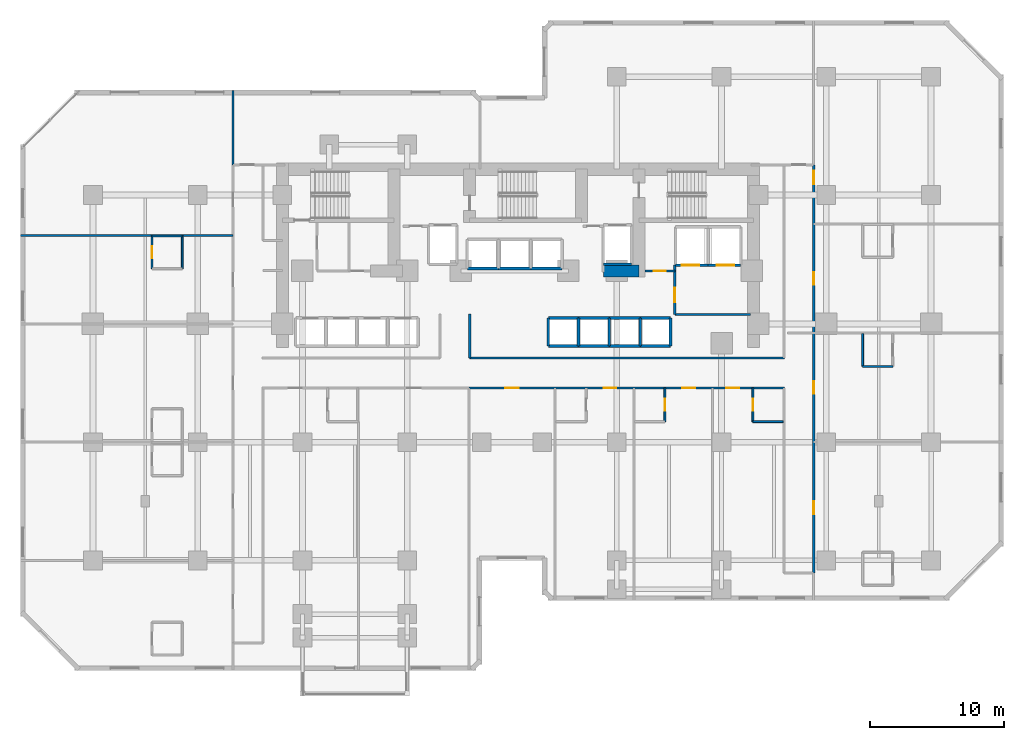
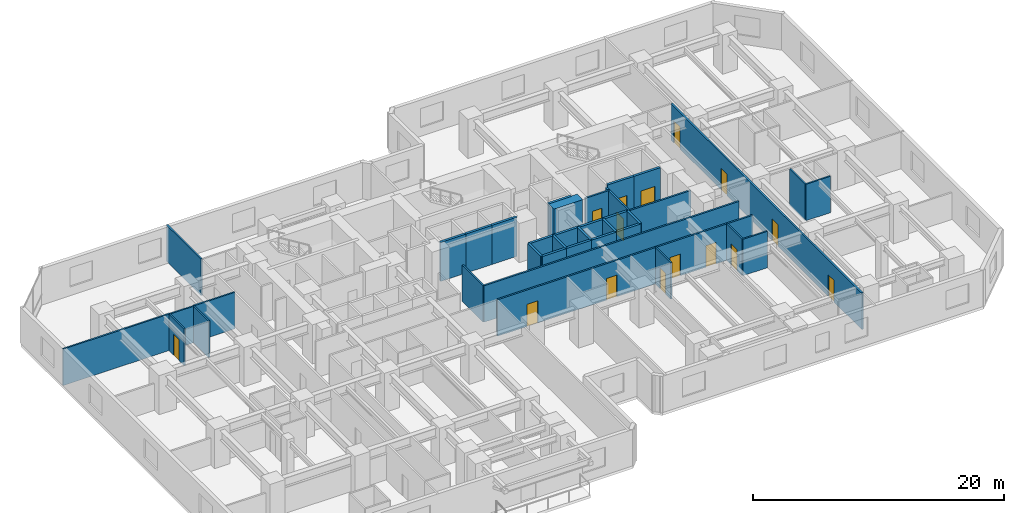
# One storey, part 7 of 12: 38 walls, 15 doors, 15 openings.
"""IFC4 building model written with IfcOpenShell, lengths in metres."""

from ifc_helpers import new_model, si_unit, direction, frame, frame_2d, origin, place, context, subcontext, project, spatial, rectangle, extrude, material, layer, layer_set, type_object, element, fill, save


model = new_model("IFC4")

# Units and contexts
model_context = context("Model", 3, precision=1e-05, world=origin(), true_north=direction((0.0, 1.0)))
body_context = subcontext(model_context, "Body", "Model", "MODEL_VIEW")
ifc_project = project(units=[si_unit("LENGTHUNIT", "METRE"), si_unit("AREAUNIT", "SQUARE_METRE"), si_unit("VOLUMEUNIT", "CUBIC_METRE"), si_unit("PLANEANGLEUNIT", "RADIAN"), si_unit("MASSUNIT", "GRAM", prefix="KILO")], contexts=[model_context])

# Site, building, storey
site_placement = place(None, origin())
site = spatial("IfcSite", under=ifc_project, at=site_placement, CompositionType="ELEMENT")
building_placement = place(site_placement, origin())
building = spatial("IfcBuilding", under=site, at=building_placement, Name="Kestravale Grand Hotel", CompositionType="ELEMENT")
storey_placement = place(building_placement, frame((0.0, 0.0, 52.60009765625)))
storey = spatial("IfcBuildingStorey", under=building, at=storey_placement, Name="L12", CompositionType="ELEMENT", Elevation=52.60009765625)

# Wall
ifc_material_1 = material(Name="Concrete f'c 70 MPa", Category="concrete")
ifc_layer_1 = layer(ifc_material_1, 0.89990234375)
ifc_layer_set_1 = layer_set([ifc_layer_1], Name="EW-CORE-900")
wall_type_1 = type_object("IfcWallType", Name="EW-CORE-900", PredefinedType="SHEAR", material=ifc_layer_set_1)
wall_1_placement = place(storey_placement, frame((45.81005859375, 32.75, 0.0), z_axis=(0.0, 0.0, 1.0), x_axis=(1.0, 0.0, 0.0)))
element("IfcWall", 1, at=wall_1_placement, inside=storey, type_object=wall_type_1, Name="L12 core shear wall S2", PredefinedType="SHEAR", context=body_context, shape_type="SweptSolid", body=[
    extrude(rectangle(XDim=2.639892578125, YDim=0.89990234375, at=frame_2d((1.31982421875, 0.0))), origin(), (0.0, 0.0, 1.0), 3.7998046875),
])

# Wall, opening, door
ifc_material_2 = material(Name="Acoustic fire-rated gypsum board partition", Category="other")
ifc_layer_2 = layer(ifc_material_2, 0.159912109375)
ifc_layer_set_2 = layer_set([ifc_layer_2], Name="IW-CORR-160")
wall_type_2 = type_object("IfcWallType", Name="IW-CORR-160", PredefinedType="PARTITIONING", material=ifc_layer_set_2)
wall_2_placement = place(storey_placement, frame((51.1201171875, 29.5, 0.0), z_axis=(0.0, 0.0, 1.0), x_axis=(0.0, 1.0, 0.0)))
wall_2 = element("IfcWall", 2, at=wall_2_placement, inside=storey, type_object=wall_type_2, Name="W-L12-SVCLOB-W", PredefinedType="PARTITIONING", context=body_context, shape_type="SweptSolid", body=[
    extrude(rectangle(XDim=3.699951171875, YDim=0.159912109375, at=frame_2d((1.85009765625, 0.0))), origin(), (0.0, 0.0, 1.0), 3.539794921875),
])
opening_1_placement = place(wall_2_placement, frame((0.89990234375, 0.0, 0.0)))
opening_1 = element("IfcOpeningElement", 3, at=opening_1_placement, cuts=wall_2, Name="Opening D-CORR-1100", PredefinedType="OPENING", context=body_context, shape_type="SweptSolid", body=[
    extrude(rectangle(XDim=1.10009765625, YDim=2.14990234375, at=frame_2d((0.550048828125, 1.074951171875))), frame((0.0, 0.08984375, 0.0), z_axis=(0.0, -1.0, 0.0), x_axis=(1.0, 0.0, 0.0)), (0.0, 0.0, 1.0), 0.179931640625),
])
ifc_material_3 = material(Name="Single-leaf service vestibule fire door", Category="steel")
door_type_1 = type_object("IfcDoorType", Name="D-CORR-1100", OperationType="NOTDEFINED", PredefinedType="DOOR", material=ifc_material_3)
door_1_placement = place(opening_1_placement, origin())
door_1 = element("IfcDoor", 4, at=door_1_placement, inside=storey, type_object=door_type_1, Name="L12 service lift lobby door", OperationType="SINGLE_SWING_LEFT", OverallHeight=2.14990234375, OverallWidth=1.10009765625, PredefinedType="DOOR", context=body_context, shape_type="SweptSolid", body=[
    extrude(rectangle(XDim=1.10009765625, YDim=2.14990234375, at=frame_2d((0.550048828125, 1.074951171875))), frame((0.0, 0.02490234375, 0.0), z_axis=(0.0, -1.0, 0.0), x_axis=(1.0, 0.0, 0.0)), (0.0, 0.0, 1.0), 0.050048828125),
])
fill(opening_1, door_1)

# Wall
wall_3_placement = place(storey_placement, frame((51.1201171875, 29.5, 0.0), z_axis=(0.0, 0.0, 1.0), x_axis=(1.0, 0.0, 0.0)))
element("IfcWall", 5, at=wall_3_placement, inside=storey, type_object=wall_type_2, Name="L12 service lift lobby wall", PredefinedType="PARTITIONING", context=body_context, shape_type="SweptSolid", body=[
    extrude(rectangle(XDim=5.6298828125, YDim=0.159912109375, at=frame_2d((2.81494140625, 0.0))), origin(), (0.0, 0.0, 1.0), 3.539794921875),
])

# Wall, opening, door
wall_4_placement = place(storey_placement, frame((48.919921875, 32.75, 0.0), z_axis=(0.0, 0.0, 1.0), x_axis=(1.0, 0.0, 0.0)))
wall_4 = element("IfcWall", 6, at=wall_4_placement, inside=storey, type_object=wall_type_2, Name="W-L12-CES", PredefinedType="PARTITIONING", context=body_context, shape_type="SweptSolid", body=[
    extrude(rectangle(XDim=2.2001953125, YDim=0.159912109375, at=frame_2d((1.10009765625, 0.0))), origin(), (0.0, 0.0, 1.0), 3.539794921875),
])
opening_2_placement = place(wall_4_placement, frame((0.64990234375, 0.0, 0.0)))
opening_2 = element("IfcOpeningElement", 7, at=opening_2_placement, cuts=wall_4, Name="Opening D-SH-860", PredefinedType="OPENING", context=body_context, shape_type="SweptSolid", body=[
    extrude(rectangle(XDim=0.860107421875, YDim=2.050048828125, at=frame_2d((0.43017578125, 1.02490234375))), frame((0.0, 0.08984375, 0.0), z_axis=(0.0, -1.0, 0.0), x_axis=(1.0, 0.0, 0.0)), (0.0, 0.0, 1.0), 0.179931640625),
])
ifc_material_4 = material(Name="Galvanised 90-minute riser fire door", Category="steel")
door_type_2 = type_object("IfcDoorType", Name="D-SH-860", OperationType="NOTDEFINED", PredefinedType="DOOR", material=ifc_material_4)
door_2_placement = place(opening_2_placement, origin())
door_2 = element("IfcDoor", 8, at=door_2_placement, inside=storey, type_object=door_type_2, Name="L12 CSTO1 door", OperationType="SINGLE_SWING_RIGHT", OverallHeight=2.050048828125, OverallWidth=0.860107421875, PredefinedType="DOOR", context=body_context, shape_type="SweptSolid", body=[
    extrude(rectangle(XDim=0.860107421875, YDim=2.050048828125, at=frame_2d((0.43017578125, 1.02490234375))), frame((0.0, 0.02490234375, 0.0), z_axis=(0.0, -1.0, 0.0), x_axis=(1.0, 0.0, 0.0)), (0.0, 0.0, 1.0), 0.050048828125),
])
fill(opening_2, door_2)

# Walls
wall_5_placement = place(storey_placement, frame((35.85009765625, 26.260009765625, 0.0), z_axis=(0.0, 0.0, 1.0), x_axis=(1.0, 0.0, 0.0)))
element("IfcWall", 9, at=wall_5_placement, inside=storey, type_object=wall_type_2, Name="W-L12-CE-N", PredefinedType="PARTITIONING", context=body_context, shape_type="SweptSolid", body=[
    extrude(rectangle(XDim=23.449951171875, YDim=0.159912109375, at=frame_2d((11.72509765625, 0.0))), origin(), (0.0, 0.0, 1.0), 3.539794921875),
])
wall_6_placement = place(storey_placement, frame((35.85009765625, 26.260009765625, 0.0), z_axis=(0.0, 0.0, 1.0), x_axis=(0.0, 1.0, 0.0)))
element("IfcWall", 10, at=wall_6_placement, inside=storey, type_object=wall_type_2, Name="W-L12-TRUNK-E", PredefinedType="PARTITIONING", context=body_context, shape_type="SweptSolid", body=[
    extrude(rectangle(XDim=3.2900390625, YDim=0.159912109375, at=frame_2d((1.64501953125, 0.0))), origin(), (0.0, 0.0, 1.0), 3.539794921875),
])

# Wall, openings, doors
wall_7_placement = place(storey_placement, frame((35.800048828125, 24.0400390625, 0.0), z_axis=(0.0, 0.0, 1.0), x_axis=(1.0, 0.0, 0.0)))
wall_7 = element("IfcWall", 11, at=wall_7_placement, inside=storey, type_object=wall_type_2, Name="W-L12-CE-S", PredefinedType="PARTITIONING", context=body_context, shape_type="SweptSolid", body=[
    extrude(rectangle(XDim=23.5, YDim=0.159912109375, at=frame_2d((11.75, 0.0))), origin(), (0.0, 0.0, 1.0), 3.539794921875),
])
opening_3_placement = place(wall_7_placement, frame((2.705078125, 0.0, 0.0)))
opening_3 = element("IfcOpeningElement", 12, at=opening_3_placement, cuts=wall_7, Name="Opening D-GUEST-1000", PredefinedType="OPENING", context=body_context, shape_type="SweptSolid", body=[
    extrude(rectangle(XDim=1.0, YDim=2.14990234375, at=frame_2d((0.5, 1.074951171875))), frame((0.0, 0.08984375, 0.0), z_axis=(0.0, -1.0, 0.0), x_axis=(1.0, 0.0, 0.0)), (0.0, 0.0, 1.0), 0.179931640625),
])
opening_4_placement = place(wall_7_placement, frame((10.02001953125, 0.0, 0.0)))
opening_4 = element("IfcOpeningElement", 13, at=opening_4_placement, cuts=wall_7, Name="Opening D-GUEST-950", PredefinedType="OPENING", context=body_context, shape_type="SweptSolid", body=[
    extrude(rectangle(XDim=0.949951171875, YDim=2.10009765625, at=frame_2d((0.47509765625, 1.050048828125))), frame((0.0, 0.08984375, 0.0), z_axis=(0.0, -1.0, 0.0), x_axis=(1.0, 0.0, 0.0)), (0.0, 0.0, 1.0), 0.179931640625),
])
opening_5_placement = place(wall_7_placement, frame((15.8798828125, 0.0, 0.0)))
opening_5 = element("IfcOpeningElement", 14, at=opening_5_placement, cuts=wall_7, Name="Opening D-GUEST-950", PredefinedType="OPENING", context=body_context, shape_type="SweptSolid", body=[
    extrude(rectangle(XDim=0.949951171875, YDim=2.10009765625, at=frame_2d((0.47509765625, 1.050048828125))), frame((0.0, 0.08984375, 0.0), z_axis=(0.0, -1.0, 0.0), x_axis=(1.0, 0.0, 0.0)), (0.0, 0.0, 1.0), 0.179931640625),
])
opening_6_placement = place(wall_7_placement, frame((19.155029296875, 0.0, 0.0)))
opening_6 = element("IfcOpeningElement", 15, at=opening_6_placement, cuts=wall_7, Name="Opening D-GUEST-950", PredefinedType="OPENING", context=body_context, shape_type="SweptSolid", body=[
    extrude(rectangle(XDim=0.949951171875, YDim=2.10009765625, at=frame_2d((0.47509765625, 1.050048828125))), frame((0.0, 0.08984375, 0.0), z_axis=(0.0, -1.0, 0.0), x_axis=(1.0, 0.0, 0.0)), (0.0, 0.0, 1.0), 0.179931640625),
])
ifc_material_5 = material(Name="Accessible walnut veneer hotel entrance fire door", Category="wood")
door_type_3 = type_object("IfcDoorType", Name="D-GUEST-1000", OperationType="NOTDEFINED", PredefinedType="DOOR", material=ifc_material_5)
door_3_placement = place(opening_3_placement, origin())
door_3 = element("IfcDoor", 16, at=door_3_placement, inside=storey, type_object=door_type_3, Name="D-L12-AME", OperationType="SINGLE_SWING_RIGHT", OverallHeight=2.14990234375, OverallWidth=1.0, PredefinedType="DOOR", context=body_context, shape_type="SweptSolid", body=[
    extrude(rectangle(XDim=1.0, YDim=2.14990234375, at=frame_2d((0.5, 1.074951171875))), frame((0.0, 0.02490234375, 0.0), z_axis=(0.0, -1.0, 0.0), x_axis=(1.0, 0.0, 0.0)), (0.0, 0.0, 1.0), 0.050048828125),
])
fill(opening_3, door_3)
ifc_material_6 = material(Name="Walnut veneer hotel guestroom entrance fire door", Category="wood")
door_type_4 = type_object("IfcDoorType", Name="D-GUEST-950", OperationType="NOTDEFINED", PredefinedType="DOOR", material=ifc_material_6)
door_4_placement = place(opening_4_placement, origin())
door_4 = element("IfcDoor", 17, at=door_4_placement, inside=storey, type_object=door_type_4, Name="D-L12-U02-ENT", OperationType="SINGLE_SWING_RIGHT", OverallHeight=2.10009765625, OverallWidth=0.949951171875, PredefinedType="DOOR", context=body_context, shape_type="SweptSolid", body=[
    extrude(rectangle(XDim=0.949951171875, YDim=2.10009765625, at=frame_2d((0.47509765625, 1.050048828125))), frame((0.0, 0.02490234375, 0.0), z_axis=(0.0, -1.0, 0.0), x_axis=(1.0, 0.0, 0.0)), (0.0, 0.0, 1.0), 0.050048828125),
])
fill(opening_4, door_4)
door_5_placement = place(opening_5_placement, origin())
door_5 = element("IfcDoor", 18, at=door_5_placement, inside=storey, type_object=door_type_4, Name="D-L12-U03-ENT", OperationType="SINGLE_SWING_RIGHT", OverallHeight=2.10009765625, OverallWidth=0.949951171875, PredefinedType="DOOR", context=body_context, shape_type="SweptSolid", body=[
    extrude(rectangle(XDim=0.949951171875, YDim=2.10009765625, at=frame_2d((0.47509765625, 1.050048828125))), frame((0.0, 0.02490234375, 0.0), z_axis=(0.0, -1.0, 0.0), x_axis=(1.0, 0.0, 0.0)), (0.0, 0.0, 1.0), 0.050048828125),
])
fill(opening_5, door_5)
door_6_placement = place(opening_6_placement, origin())
door_6 = element("IfcDoor", 19, at=door_6_placement, inside=storey, type_object=door_type_4, Name="D-L12-U04-ENT", OperationType="SINGLE_SWING_RIGHT", OverallHeight=2.10009765625, OverallWidth=0.949951171875, PredefinedType="DOOR", context=body_context, shape_type="SweptSolid", body=[
    extrude(rectangle(XDim=0.949951171875, YDim=2.10009765625, at=frame_2d((0.47509765625, 1.050048828125))), frame((0.0, 0.02490234375, 0.0), z_axis=(0.0, -1.0, 0.0), x_axis=(1.0, 0.0, 0.0)), (0.0, 0.0, 1.0), 0.050048828125),
])
fill(opening_6, door_6)

wall_8_placement = place(storey_placement, frame((61.4599609375, 10.25, 0.0), z_axis=(0.0, 0.0, 1.0), x_axis=(0.0, 1.0, 0.0)))
wall_8 = element("IfcWall", 20, at=wall_8_placement, inside=storey, type_object=wall_type_2, Name="W-L12-SE-E", PredefinedType="PARTITIONING", context=body_context, shape_type="SweptSolid", body=[
    extrude(rectangle(XDim=30.39990234375, YDim=0.159912109375, at=frame_2d((15.199951171875, 0.0))), origin(), (0.0, 0.0, 1.0), 3.539794921875),
])
opening_7_placement = place(wall_8_placement, frame((4.39990234375, 0.0, 0.0)))
opening_7 = element("IfcOpeningElement", 21, at=opening_7_placement, cuts=wall_8, Name="Opening D-GUEST-950", PredefinedType="OPENING", context=body_context, shape_type="SweptSolid", body=[
    extrude(rectangle(XDim=0.949951171875, YDim=2.10009765625, at=frame_2d((0.47509765625, 1.050048828125))), frame((0.0, 0.08984375, 0.0), z_axis=(0.0, -1.0, 0.0), x_axis=(1.0, 0.0, 0.0)), (0.0, 0.0, 1.0), 0.179931640625),
])
opening_8_placement = place(wall_8_placement, frame((13.33740234375, 0.0, 0.0)))
opening_8 = element("IfcOpeningElement", 22, at=opening_8_placement, cuts=wall_8, Name="Opening D-GUEST-950", PredefinedType="OPENING", context=body_context, shape_type="SweptSolid", body=[
    extrude(rectangle(XDim=0.949951171875, YDim=2.10009765625, at=frame_2d((0.47509765625, 1.050048828125))), frame((0.0, 0.08984375, 0.0), z_axis=(0.0, -1.0, 0.0), x_axis=(1.0, 0.0, 0.0)), (0.0, 0.0, 1.0), 0.179931640625),
])
opening_9_placement = place(wall_8_placement, frame((21.46240234375, 0.0, 0.0)))
opening_9 = element("IfcOpeningElement", 23, at=opening_9_placement, cuts=wall_8, Name="Opening D-GUEST-950", PredefinedType="OPENING", context=body_context, shape_type="SweptSolid", body=[
    extrude(rectangle(XDim=0.949951171875, YDim=2.10009765625, at=frame_2d((0.47509765625, 1.050048828125))), frame((0.0, 0.08984375, 0.0), z_axis=(0.0, -1.0, 0.0), x_axis=(1.0, 0.0, 0.0)), (0.0, 0.0, 1.0), 0.179931640625),
])
opening_10_placement = place(wall_8_placement, frame((28.9599609375, 0.0, 0.0)))
opening_10 = element("IfcOpeningElement", 24, at=opening_10_placement, cuts=wall_8, Name="Opening D-GUEST-1000", PredefinedType="OPENING", context=body_context, shape_type="SweptSolid", body=[
    extrude(rectangle(XDim=1.0, YDim=2.14990234375, at=frame_2d((0.5, 1.074951171875))), frame((0.0, 0.08984375, 0.0), z_axis=(0.0, -1.0, 0.0), x_axis=(1.0, 0.0, 0.0)), (0.0, 0.0, 1.0), 0.179931640625),
])
door_7_placement = place(opening_10_placement, origin())
door_7 = element("IfcDoor", 25, at=door_7_placement, inside=storey, type_object=door_type_3, Name="D-L12-AMEW", OperationType="SINGLE_SWING_RIGHT", OverallHeight=2.14990234375, OverallWidth=1.0, PredefinedType="DOOR", context=body_context, shape_type="SweptSolid", body=[
    extrude(rectangle(XDim=1.0, YDim=2.14990234375, at=frame_2d((0.5, 1.074951171875))), frame((0.0, 0.02490234375, 0.0), z_axis=(0.0, -1.0, 0.0), x_axis=(1.0, 0.0, 0.0)), (0.0, 0.0, 1.0), 0.050048828125),
])
fill(opening_10, door_7)
door_8_placement = place(opening_7_placement, origin())
door_8 = element("IfcDoor", 26, at=door_8_placement, inside=storey, type_object=door_type_4, Name="D-L12-U09-ENT", OperationType="SINGLE_SWING_LEFT", OverallHeight=2.10009765625, OverallWidth=0.949951171875, PredefinedType="DOOR", context=body_context, shape_type="SweptSolid", body=[
    extrude(rectangle(XDim=0.949951171875, YDim=2.10009765625, at=frame_2d((0.47509765625, 1.050048828125))), frame((0.0, 0.02490234375, 0.0), z_axis=(0.0, -1.0, 0.0), x_axis=(1.0, 0.0, 0.0)), (0.0, 0.0, 1.0), 0.050048828125),
])
fill(opening_7, door_8)
door_9_placement = place(opening_8_placement, origin())
door_9 = element("IfcDoor", 27, at=door_9_placement, inside=storey, type_object=door_type_4, Name="D-L12-U10-ENT", OperationType="SINGLE_SWING_LEFT", OverallHeight=2.10009765625, OverallWidth=0.949951171875, PredefinedType="DOOR", context=body_context, shape_type="SweptSolid", body=[
    extrude(rectangle(XDim=0.949951171875, YDim=2.10009765625, at=frame_2d((0.47509765625, 1.050048828125))), frame((0.0, 0.02490234375, 0.0), z_axis=(0.0, -1.0, 0.0), x_axis=(1.0, 0.0, 0.0)), (0.0, 0.0, 1.0), 0.050048828125),
])
fill(opening_8, door_9)
door_10_placement = place(opening_9_placement, origin())
door_10 = element("IfcDoor", 28, at=door_10_placement, inside=storey, type_object=door_type_4, Name="D-L12-U11-ENT", OperationType="SINGLE_SWING_LEFT", OverallHeight=2.10009765625, OverallWidth=0.949951171875, PredefinedType="DOOR", context=body_context, shape_type="SweptSolid", body=[
    extrude(rectangle(XDim=0.949951171875, YDim=2.10009765625, at=frame_2d((0.47509765625, 1.050048828125))), frame((0.0, 0.02490234375, 0.0), z_axis=(0.0, -1.0, 0.0), x_axis=(1.0, 0.0, 0.0)), (0.0, 0.0, 1.0), 0.050048828125),
])
fill(opening_9, door_10)

# Wall, opening, door
ifc_material_7 = material(Name="Moisture-resistant tile-backer plumbing chase wall", Category="other")
ifc_layer_3 = layer(ifc_material_7, 0.139892578125)
ifc_layer_set_3 = layer_set([ifc_layer_3], Name="IW-PLB-140")
wall_type_3 = type_object("IfcWallType", Name="IW-PLB-140", PredefinedType="PLUMBINGWALL", material=ifc_layer_set_3)
wall_9_placement = place(storey_placement, frame((50.3798828125, 21.530029296875, 0.0), z_axis=(0.0, 0.0, 1.0), x_axis=(0.0, 1.0, 0.0)))
wall_9 = element("IfcWall", 29, at=wall_9_placement, inside=storey, type_object=wall_type_3, Name="W-L12-U03-BE", PredefinedType="PLUMBINGWALL", context=body_context, shape_type="SweptSolid", body=[
    extrude(rectangle(XDim=2.489990234375, YDim=0.139892578125, at=frame_2d((1.2451171875, 0.0))), origin(), (0.0, 0.0, 1.0), 3.539794921875),
])
opening_11_placement = place(wall_9_placement, frame((0.804931640625, 0.0, 0.0)))
opening_11 = element("IfcOpeningElement", 30, at=opening_11_placement, cuts=wall_9, Name="Opening D-BATH-880", PredefinedType="OPENING", context=body_context, shape_type="SweptSolid", body=[
    extrude(rectangle(XDim=0.8798828125, YDim=2.050048828125, at=frame_2d((0.43994140625, 1.02490234375))), frame((0.0, 0.079833984375, 0.0), z_axis=(0.0, -1.0, 0.0), x_axis=(1.0, 0.0, 0.0)), (0.0, 0.0, 1.0), 0.159912109375),
])
ifc_material_8 = material(Name="Moisture-sealed walnut en-suite bathroom door", Category="wood")
door_type_5 = type_object("IfcDoorType", Name="D-BATH-880", OperationType="NOTDEFINED", PredefinedType="DOOR", material=ifc_material_8)
door_11_placement = place(opening_11_placement, origin())
door_11 = element("IfcDoor", 31, at=door_11_placement, inside=storey, type_object=door_type_5, Name="D-L12-U03-BATH", OperationType="SINGLE_SWING_LEFT", OverallHeight=2.050048828125, OverallWidth=0.8798828125, PredefinedType="DOOR", context=body_context, shape_type="SweptSolid", body=[
    extrude(rectangle(XDim=0.8798828125, YDim=2.050048828125, at=frame_2d((0.43994140625, 1.02490234375))), frame((0.0, 0.02490234375, 0.0), z_axis=(0.0, -1.0, 0.0), x_axis=(1.0, 0.0, 0.0)), (0.0, 0.0, 1.0), 0.050048828125),
])
fill(opening_11, door_11)

wall_10_placement = place(storey_placement, frame((56.929931640625, 21.530029296875, 0.0), z_axis=(0.0, 0.0, 1.0), x_axis=(0.0, 1.0, 0.0)))
wall_10 = element("IfcWall", 32, at=wall_10_placement, inside=storey, type_object=wall_type_3, Name="W-L12-U04-BW", PredefinedType="PLUMBINGWALL", context=body_context, shape_type="SweptSolid", body=[
    extrude(rectangle(XDim=2.489990234375, YDim=0.139892578125, at=frame_2d((1.2451171875, 0.0))), origin(), (0.0, 0.0, 1.0), 3.539794921875),
])
opening_12_placement = place(wall_10_placement, frame((0.804931640625, 0.0, 0.0)))
opening_12 = element("IfcOpeningElement", 33, at=opening_12_placement, cuts=wall_10, Name="Opening D-BATH-880", PredefinedType="OPENING", context=body_context, shape_type="SweptSolid", body=[
    extrude(rectangle(XDim=0.8798828125, YDim=2.050048828125, at=frame_2d((0.43994140625, 1.02490234375))), frame((0.0, 0.079833984375, 0.0), z_axis=(0.0, -1.0, 0.0), x_axis=(1.0, 0.0, 0.0)), (0.0, 0.0, 1.0), 0.159912109375),
])
door_12_placement = place(opening_12_placement, origin())
door_12 = element("IfcDoor", 34, at=door_12_placement, inside=storey, type_object=door_type_5, Name="D-L12-U04-BATH", OperationType="SINGLE_SWING_LEFT", OverallHeight=2.050048828125, OverallWidth=0.8798828125, PredefinedType="DOOR", context=body_context, shape_type="SweptSolid", body=[
    extrude(rectangle(XDim=0.8798828125, YDim=2.050048828125, at=frame_2d((0.43994140625, 1.02490234375))), frame((0.0, 0.02490234375, 0.0), z_axis=(0.0, -1.0, 0.0), x_axis=(1.0, 0.0, 0.0)), (0.0, 0.0, 1.0), 0.050048828125),
])
fill(opening_12, door_12)

# Wall
wall_11_placement = place(storey_placement, frame((56.929931640625, 21.530029296875, 0.0), z_axis=(0.0, 0.0, 1.0), x_axis=(1.0, 0.0, 0.0)))
element("IfcWall", 35, at=wall_11_placement, inside=storey, type_object=wall_type_3, Name="W-L12-U04-BS", PredefinedType="PLUMBINGWALL", context=body_context, shape_type="SweptSolid", body=[
    extrude(rectangle(XDim=2.25, YDim=0.139892578125, at=frame_2d((1.125, 0.0))), origin(), (0.0, 0.0, 1.0), 3.539794921875),
])

# Wall, opening, door
wall_12_placement = place(storey_placement, frame((12.199951171875, 32.909912109375, 0.0), z_axis=(0.0, 0.0, 1.0), x_axis=(0.0, 1.0, 0.0)))
wall_12 = element("IfcWall", 36, at=wall_12_placement, inside=storey, type_object=wall_type_3, Name="W-L12-U08-BW", PredefinedType="PLUMBINGWALL", context=body_context, shape_type="SweptSolid", body=[
    extrude(rectangle(XDim=2.4501953125, YDim=0.139892578125, at=frame_2d((1.22509765625, 0.0))), origin(), (0.0, 0.0, 1.0), 3.539794921875),
])
opening_13_placement = place(wall_12_placement, frame((0.784912109375, 0.0, 0.0)))
opening_13 = element("IfcOpeningElement", 37, at=opening_13_placement, cuts=wall_12, Name="Opening D-BATH-880", PredefinedType="OPENING", context=body_context, shape_type="SweptSolid", body=[
    extrude(rectangle(XDim=0.8798828125, YDim=2.050048828125, at=frame_2d((0.43994140625, 1.02490234375))), frame((0.0, 0.079833984375, 0.0), z_axis=(0.0, -1.0, 0.0), x_axis=(1.0, 0.0, 0.0)), (0.0, 0.0, 1.0), 0.159912109375),
])
door_13_placement = place(opening_13_placement, origin())
door_13 = element("IfcDoor", 38, at=door_13_placement, inside=storey, type_object=door_type_5, Name="D-L12-U08-BATH", OperationType="SINGLE_SWING_LEFT", OverallHeight=2.050048828125, OverallWidth=0.8798828125, PredefinedType="DOOR", context=body_context, shape_type="SweptSolid", body=[
    extrude(rectangle(XDim=0.8798828125, YDim=2.050048828125, at=frame_2d((0.43994140625, 1.02490234375))), frame((0.0, 0.02490234375, 0.0), z_axis=(0.0, -1.0, 0.0), x_axis=(1.0, 0.0, 0.0)), (0.0, 0.0, 1.0), 0.050048828125),
])
fill(opening_13, door_13)

# Walls
wall_13_placement = place(storey_placement, frame((14.449951171875, 32.909912109375, 0.0), z_axis=(0.0, 0.0, 1.0), x_axis=(0.0, 1.0, 0.0)))
element("IfcWall", 39, at=wall_13_placement, inside=storey, type_object=wall_type_3, Name="W-L12-U08-BE", PredefinedType="PLUMBINGWALL", context=body_context, shape_type="SweptSolid", body=[
    extrude(rectangle(XDim=2.4501953125, YDim=0.139892578125, at=frame_2d((1.22509765625, 0.0))), origin(), (0.0, 0.0, 1.0), 3.539794921875),
])
wall_14_placement = place(storey_placement, frame((12.199951171875, 35.360107421875, 0.0), z_axis=(0.0, 0.0, 1.0), x_axis=(1.0, 0.0, 0.0)))
element("IfcWall", 40, at=wall_14_placement, inside=storey, type_object=wall_type_3, Name="W-L12-U08-BN", PredefinedType="PLUMBINGWALL", context=body_context, shape_type="SweptSolid", body=[
    extrude(rectangle(XDim=2.25, YDim=0.139892578125, at=frame_2d((1.125, 0.0))), origin(), (0.0, 0.0, 1.0), 3.539794921875),
])
wall_15_placement = place(storey_placement, frame((65.10009765625, 25.635009765625, 0.0), z_axis=(0.0, 0.0, 1.0), x_axis=(0.0, 1.0, 0.0)))
element("IfcWall", 41, at=wall_15_placement, inside=storey, type_object=wall_type_3, Name="W-L12-U10-BW", PredefinedType="PLUMBINGWALL", context=body_context, shape_type="SweptSolid", body=[
    extrude(rectangle(XDim=2.449951171875, YDim=0.139892578125, at=frame_2d((1.22509765625, 0.0))), origin(), (0.0, 0.0, 1.0), 3.539794921875),
])
wall_16_placement = place(storey_placement, frame((65.10009765625, 25.635009765625, 0.0), z_axis=(0.0, 0.0, 1.0), x_axis=(1.0, 0.0, 0.0)))
element("IfcWall", 42, at=wall_16_placement, inside=storey, type_object=wall_type_3, Name="W-L12-U10-BS", PredefinedType="PLUMBINGWALL", context=body_context, shape_type="SweptSolid", body=[
    extrude(rectangle(XDim=2.25, YDim=0.139892578125, at=frame_2d((1.125, 0.0))), origin(), (0.0, 0.0, 1.0), 3.539794921875),
])
ifc_material_9 = material(Name="Concrete f'c 45 MPa", Category="concrete")
ifc_layer_4 = layer(ifc_material_9, 0.199951171875)
ifc_layer_set_4 = layer_set([ifc_layer_4], Name="IW-SHAFT-200")
wall_type_4 = type_object("IfcWallType", Name="IW-SHAFT-200", PredefinedType="SHEAR", material=ifc_layer_set_4)
for number, where, z_axis, x_axis, name in (
    (43, (41.705078125, 27.169921875, 0.0), (0.0, 0.0, 1.0), (0.0, 1.0, 0.0), "L12 PL-M1 west shaft wall"),
    (44, (43.949951171875, 27.169921875, 0.0), (0.0, 0.0, 1.0), (0.0, 1.0, 0.0), "L12 PL-M2 west shaft wall"),
    (45, (46.25, 27.169921875, 0.0), (0.0, 0.0, 1.0), (0.0, 1.0, 0.0), "L12 PL-M3 west shaft wall"),
    (46, (48.550048828125, 27.169921875, 0.0), (0.0, 0.0, 1.0), (0.0, 1.0, 0.0), "L12 PL-M4 west shaft wall"),
    (47, (50.794921875, 27.169921875, 0.0), (0.0, 0.0, 1.0), (0.0, 1.0, 0.0), "L12 PL-M4 east shaft wall"),
):
    element("IfcWall", number, at=place(storey_placement, frame(where, z_axis=z_axis, x_axis=x_axis)), inside=storey, type_object=wall_type_4, Name=name, PredefinedType="SHEAR", context=body_context, shape_type="SweptSolid", body=[
        extrude(rectangle(XDim=2.06005859375, YDim=0.199951171875, at=frame_2d((1.030029296875, 0.0))), origin(), (0.0, 0.0, 1.0), 3.7998046875),
    ])
ifc_material_10 = material(Name="Concrete f'c 45 MPa", Category="concrete")
ifc_layer_5 = layer(ifc_material_10, 0.219970703125)
ifc_layer_set_5 = layer_set([ifc_layer_5], Name="IW-SHAFT-220")
wall_type_5 = type_object("IfcWallType", Name="IW-SHAFT-220", PredefinedType="SHEAR", material=ifc_layer_set_5)
for number, where, z_axis, x_axis, name in (
    (48, (41.705078125, 29.22998046875, 0.0), (0.0, 0.0, 1.0), (1.0, 0.0, 0.0), "L12 PL-M1 north shaft wall"),
    (49, (41.705078125, 27.169921875, 0.0), (0.0, 0.0, 1.0), (1.0, 0.0, 0.0), "L12 PL-M1 south shaft wall"),
):
    element("IfcWall", number, at=place(storey_placement, frame(where, z_axis=z_axis, x_axis=x_axis)), inside=storey, type_object=wall_type_5, Name=name, PredefinedType="SHEAR", context=body_context, shape_type="SweptSolid", body=[
        extrude(rectangle(XDim=2.244873046875, YDim=0.219970703125, at=frame_2d((1.12255859375, 0.0))), origin(), (0.0, 0.0, 1.0), 3.7998046875),
    ])
for number, where, z_axis, x_axis, name in (
    (50, (43.949951171875, 29.22998046875, 0.0), (0.0, 0.0, 1.0), (1.0, 0.0, 0.0), "L12 PL-M2 north shaft wall"),
    (51, (43.949951171875, 27.169921875, 0.0), (0.0, 0.0, 1.0), (1.0, 0.0, 0.0), "L12 PL-M2 south shaft wall"),
    (52, (46.25, 29.22998046875, 0.0), (0.0, 0.0, 1.0), (1.0, 0.0, 0.0), "L12 PL-M3 north shaft wall"),
    (53, (46.25, 27.169921875, 0.0), (0.0, 0.0, 1.0), (1.0, 0.0, 0.0), "L12 PL-M3 south shaft wall"),
):
    element("IfcWall", number, at=place(storey_placement, frame(where, z_axis=z_axis, x_axis=x_axis)), inside=storey, type_object=wall_type_5, Name=name, PredefinedType="SHEAR", context=body_context, shape_type="SweptSolid", body=[
        extrude(rectangle(XDim=2.300048828125, YDim=0.219970703125, at=frame_2d((1.14990234375, 0.0))), origin(), (0.0, 0.0, 1.0), 3.7998046875),
    ])
for number, where, z_axis, x_axis, name in (
    (54, (48.550048828125, 29.22998046875, 0.0), (0.0, 0.0, 1.0), (1.0, 0.0, 0.0), "L12 PL-M4 north shaft wall"),
    (55, (48.550048828125, 27.169921875, 0.0), (0.0, 0.0, 1.0), (1.0, 0.0, 0.0), "L12 PL-M4 south shaft wall"),
):
    element("IfcWall", number, at=place(storey_placement, frame(where, z_axis=z_axis, x_axis=x_axis)), inside=storey, type_object=wall_type_5, Name=name, PredefinedType="SHEAR", context=body_context, shape_type="SweptSolid", body=[
        extrude(rectangle(XDim=2.244873046875, YDim=0.219970703125, at=frame_2d((1.12255859375, 0.0))), origin(), (0.0, 0.0, 1.0), 3.7998046875),
    ])
wall_17_placement = place(storey_placement, frame((35.679931640625, 32.919921875, 0.0), z_axis=(0.0, 0.0, 1.0), x_axis=(1.0, 0.0, 0.0)))
element("IfcWall", 56, at=wall_17_placement, inside=storey, type_object=wall_type_5, Name="L12 PL-X1 south shaft wall", PredefinedType="SHEAR", context=body_context, shape_type="SweptSolid", body=[
    extrude(rectangle(XDim=2.320068359375, YDim=0.219970703125, at=frame_2d((1.16015625, 0.0))), origin(), (0.0, 0.0, 1.0), 3.7998046875),
])
wall_18_placement = place(storey_placement, frame((38.0, 32.919921875, 0.0), z_axis=(0.0, 0.0, 1.0), x_axis=(1.0, 0.0, 0.0)))
element("IfcWall", 57, at=wall_18_placement, inside=storey, type_object=wall_type_5, Name="L12 PL-X2 south shaft wall", PredefinedType="SHEAR", context=body_context, shape_type="SweptSolid", body=[
    extrude(rectangle(XDim=2.39990234375, YDim=0.219970703125, at=frame_2d((1.199951171875, 0.0))), origin(), (0.0, 0.0, 1.0), 3.7998046875),
])
wall_19_placement = place(storey_placement, frame((40.39990234375, 32.919921875, 0.0), z_axis=(0.0, 0.0, 1.0), x_axis=(1.0, 0.0, 0.0)))
element("IfcWall", 58, at=wall_19_placement, inside=storey, type_object=wall_type_5, Name="L12 PL-X3 south shaft wall", PredefinedType="SHEAR", context=body_context, shape_type="SweptSolid", body=[
    extrude(rectangle(XDim=2.320068359375, YDim=0.219970703125, at=frame_2d((1.16015625, 0.0))), origin(), (0.0, 0.0, 1.0), 3.7998046875),
])

# Wall, opening, door
wall_20_placement = place(storey_placement, frame((51.179931640625, 33.169921875, 0.0), z_axis=(0.0, 0.0, 1.0), x_axis=(1.0, 0.0, 0.0)))
wall_20 = element("IfcWall", 59, at=wall_20_placement, inside=storey, type_object=wall_type_5, Name="L12 SL-1 south shaft wall", PredefinedType="SHEAR", context=body_context, shape_type="SweptSolid", body=[
    extrude(rectangle(XDim=2.420166015625, YDim=0.219970703125, at=frame_2d((1.2099609375, 0.0))), origin(), (0.0, 0.0, 1.0), 3.7998046875),
])
opening_14_placement = place(wall_20_placement, frame((0.469970703125, 0.0, 0.0)))
opening_14 = element("IfcOpeningElement", 60, at=opening_14_placement, cuts=wall_20, Name="Opening LD-SVC-1300", PredefinedType="OPENING", context=body_context, shape_type="SweptSolid", body=[
    extrude(rectangle(XDim=1.300048828125, YDim=2.14990234375, at=frame_2d((0.64990234375, 1.074951171875))), frame((0.0, 0.119873046875, 0.0), z_axis=(0.0, -1.0, 0.0), x_axis=(1.0, 0.0, 0.0)), (0.0, 0.0, 1.0), 0.239990234375),
])
ifc_material_11 = material(Name="Heavy-duty service sliding elevator landing door", Category="steel")
door_type_6 = type_object("IfcDoorType", Name="LD-SVC-1300", OperationType="NOTDEFINED", PredefinedType="DOOR", material=ifc_material_11)
door_14_placement = place(opening_14_placement, origin())
door_14 = element("IfcDoor", 61, at=door_14_placement, inside=storey, type_object=door_type_6, Name="L12 SL-1 elevator landing sliding door", OperationType="DOUBLE_DOOR_SLIDING", OverallHeight=2.14990234375, OverallWidth=1.300048828125, PredefinedType="DOOR", context=body_context, shape_type="SweptSolid", body=[
    extrude(rectangle(XDim=1.300048828125, YDim=2.14990234375, at=frame_2d((0.64990234375, 1.074951171875))), frame((0.0, 0.02490234375, 0.0), z_axis=(0.0, -1.0, 0.0), x_axis=(1.0, 0.0, 0.0)), (0.0, 0.0, 1.0), 0.050048828125),
])
fill(opening_14, door_14)

wall_21_placement = place(storey_placement, frame((53.60009765625, 33.169921875, 0.0), z_axis=(0.0, 0.0, 1.0), x_axis=(1.0, 0.0, 0.0)))
wall_21 = element("IfcWall", 62, at=wall_21_placement, inside=storey, type_object=wall_type_5, Name="L12 SL-2 south shaft wall", PredefinedType="SHEAR", context=body_context, shape_type="SweptSolid", body=[
    extrude(rectangle(XDim=2.419921875, YDim=0.219970703125, at=frame_2d((1.2099609375, 0.0))), origin(), (0.0, 0.0, 1.0), 3.7998046875),
])
opening_15_placement = place(wall_21_placement, frame((0.64990234375, 0.0, 0.0)))
opening_15 = element("IfcOpeningElement", 63, at=opening_15_placement, cuts=wall_21, Name="Opening LD-SVC-1300", PredefinedType="OPENING", context=body_context, shape_type="SweptSolid", body=[
    extrude(rectangle(XDim=1.300048828125, YDim=2.14990234375, at=frame_2d((0.64990234375, 1.074951171875))), frame((0.0, 0.119873046875, 0.0), z_axis=(0.0, -1.0, 0.0), x_axis=(1.0, 0.0, 0.0)), (0.0, 0.0, 1.0), 0.239990234375),
])
door_15_placement = place(opening_15_placement, origin())
door_15 = element("IfcDoor", 64, at=door_15_placement, inside=storey, type_object=door_type_6, Name="L12 SL-2 elevator landing sliding door", OperationType="DOUBLE_DOOR_SLIDING", OverallHeight=2.14990234375, OverallWidth=1.300048828125, PredefinedType="DOOR", context=body_context, shape_type="SweptSolid", body=[
    extrude(rectangle(XDim=1.300048828125, YDim=2.14990234375, at=frame_2d((0.64990234375, 1.074951171875))), frame((0.0, 0.02490234375, 0.0), z_axis=(0.0, -1.0, 0.0), x_axis=(1.0, 0.0, 0.0)), (0.0, 0.0, 1.0), 0.050048828125),
])
fill(opening_15, door_15)

# Walls
wall_22_placement = place(storey_placement, frame((45.804931640625, 33.2451171875, 0.0), z_axis=(0.0, 0.0, 1.0), x_axis=(1.0, 0.0, 0.0)))
element("IfcWall", 65, at=wall_22_placement, inside=storey, type_object=wall_type_5, Name="L12 FL-2 south shaft wall", PredefinedType="SHEAR", context=body_context, shape_type="SweptSolid", body=[
    extrude(rectangle(XDim=2.090087890625, YDim=0.219970703125, at=frame_2d((1.044921875, 0.0))), origin(), (0.0, 0.0, 1.0), 3.7998046875),
])
ifc_material_12 = material(Name="Double-stud STC 52 acoustic demising partition", Category="other")
ifc_layer_6 = layer(ifc_material_12, 0.14990234375)
ifc_layer_set_6 = layer_set([ifc_layer_6], Name="IW-UNIT-150")
wall_type_6 = type_object("IfcWallType", Name="IW-UNIT-150", PredefinedType="PARTITIONING", material=ifc_layer_set_6)
wall_23_placement = place(storey_placement, frame((18.239990234375, 40.64990234375, 0.0), z_axis=(0.0, 0.0, 1.0), x_axis=(0.0, 1.0, 0.0)))
element("IfcWall", 66, at=wall_23_placement, inside=storey, type_object=wall_type_6, Name="W-L12-NGW-W", PredefinedType="PARTITIONING", context=body_context, shape_type="SweptSolid", body=[
    extrude(rectangle(XDim=5.530029296875, YDim=0.14990234375, at=frame_2d((2.76513671875, 0.0))), origin(), (0.0, 0.0, 1.0), 3.539794921875),
])
wall_24_placement = place(storey_placement, frame((2.419921875, 35.39990234375, 0.0), z_axis=(0.0, 0.0, 1.0), x_axis=(1.0, 0.0, 0.0)))
element("IfcWall", 67, at=wall_24_placement, inside=storey, type_object=wall_type_6, Name="W-L12-WW-4", PredefinedType="PARTITIONING", context=body_context, shape_type="SweptSolid", body=[
    extrude(rectangle(XDim=9.780029296875, YDim=0.14990234375, at=frame_2d((4.89013671875, 0.0))), origin(), (0.0, 0.0, 1.0), 3.539794921875),
])
wall_25_placement = place(storey_placement, frame((14.449951171875, 35.39990234375, 0.0), z_axis=(0.0, 0.0, 1.0), x_axis=(1.0, 0.0, 0.0)))
element("IfcWall", 68, at=wall_25_placement, inside=storey, type_object=wall_type_6, Name="W-L12-WW-4", PredefinedType="PARTITIONING", context=body_context, shape_type="SweptSolid", body=[
    extrude(rectangle(XDim=3.7900390625, YDim=0.14990234375, at=frame_2d((1.89501953125, 0.0))), origin(), (0.0, 0.0, 1.0), 3.539794921875),
])

save(model, "model.ifc")
